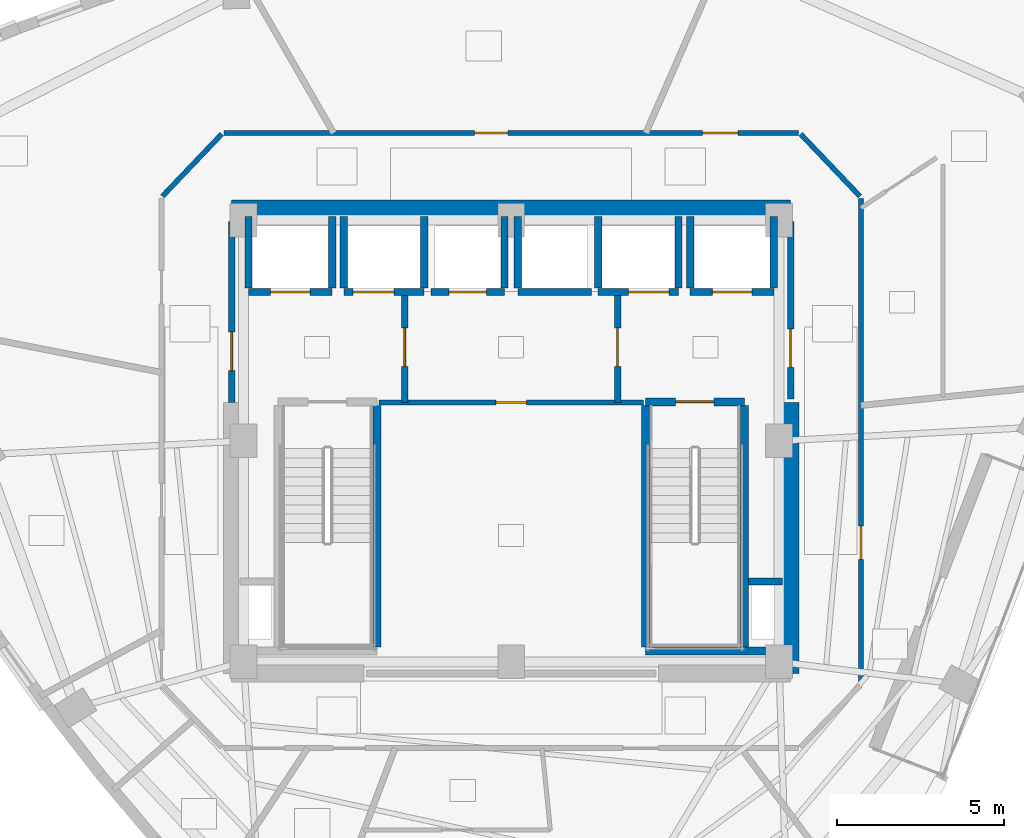
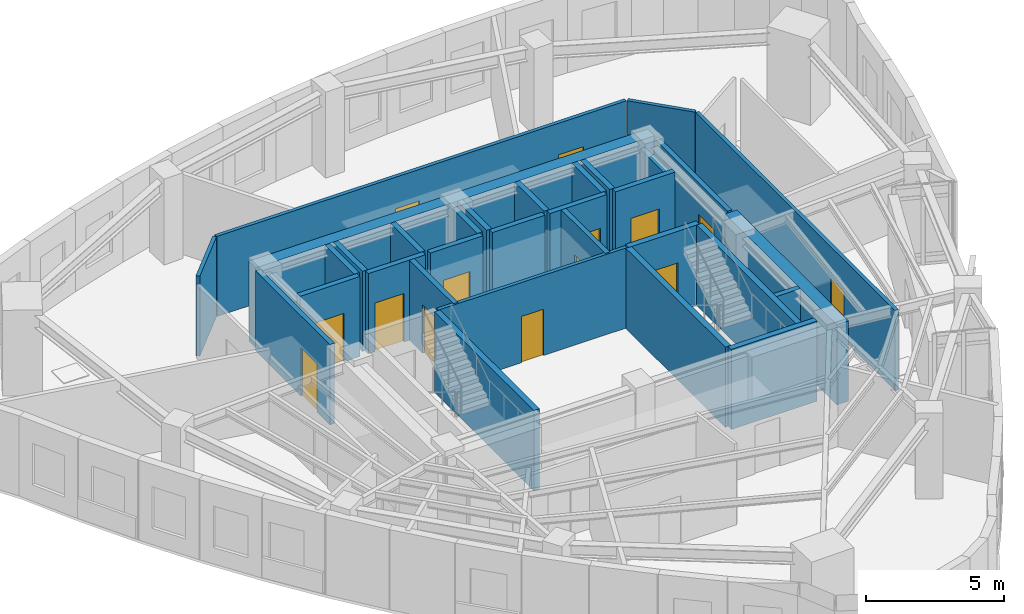
# One storey, part 5 of 10: 33 walls, 14 doors, 14 openings.
"""IFC4 building model written with IfcOpenShell, lengths in metres."""

from ifc_helpers import new_model, si_unit, direction, frame, frame_2d, origin, place, context, subcontext, project, spatial, rectangle, extrude, material, layer, layer_set, type_object, element, fill, save


model = new_model("IFC4")

# Units and contexts
model_context = context("Model", 3, precision=1e-05, world=origin(), true_north=direction((0.0, 1.0)))
body_context = subcontext(model_context, "Body", "Model", "MODEL_VIEW")
ifc_project = project(units=[si_unit("LENGTHUNIT", "METRE"), si_unit("AREAUNIT", "SQUARE_METRE"), si_unit("VOLUMEUNIT", "CUBIC_METRE"), si_unit("PLANEANGLEUNIT", "RADIAN"), si_unit("MASSUNIT", "GRAM", prefix="KILO")], contexts=[model_context])

# Site, building, storey
site_placement = place(None, origin())
site = spatial("IfcSite", under=ifc_project, at=site_placement, CompositionType="ELEMENT")
building_placement = place(site_placement, origin())
building = spatial("IfcBuilding", under=site, at=building_placement, Name="Ndelora Gate Hotel", CompositionType="ELEMENT")
storey_placement = place(building_placement, frame((0.0, 0.0, 247.35009765625)))
storey = spatial("IfcBuildingStorey", under=building, at=storey_placement, Name="L62", CompositionType="ELEMENT", Elevation=247.35009765625)

# Walls
ifc_material_1 = material(Name="Concrete C50/60", Category="concrete")
ifc_layer_1 = layer(ifc_material_1, 0.5)
ifc_layer_set_1 = layer_set([ifc_layer_1], Name="Concrete C50/60")
wall_type_1 = type_object("IfcWallType", Name="WL-CORE-500", PredefinedType="SHEAR", material=ifc_layer_set_1)
wall_1_placement = place(storey_placement, frame((-8.35009765625, 6.949951171875, 0.0), z_axis=(0.0, 0.0, 1.0), x_axis=(1.0, 0.0, 0.0)))
element("IfcWall", 1, at=wall_1_placement, inside=storey, type_object=wall_type_1, Name="L62 Core Shear Wall N", PredefinedType="SHEAR", context=body_context, shape_type="SweptSolid", body=[
    extrude(rectangle(XDim=16.7001953125, YDim=0.5, at=frame_2d((8.35009765625, 0.0))), origin(), (0.0, 0.0, 1.0), 3.5498046875),
])
wall_2_placement = place(storey_placement, frame((8.35009765625, -6.949951171875, 0.0), z_axis=(0.0, 0.0, 1.0), x_axis=(0.0, 1.0, 0.0)))
element("IfcWall", 2, at=wall_2_placement, inside=storey, type_object=wall_type_1, Name="L62 Core Shear Wall E", PredefinedType="SHEAR", context=body_context, shape_type="SweptSolid", body=[
    extrude(rectangle(XDim=8.099853515625, YDim=0.5, at=frame_2d((4.0498046875, 0.0))), origin(), (0.0, 0.0, 1.0), 3.5498046875),
])

# Wall, opening, door
ifc_material_2 = material(Name="Concrete C40/50", Category="concrete")
ifc_layer_2 = layer(ifc_material_2, 0.199951171875)
ifc_layer_set_2 = layer_set([ifc_layer_2], Name="Concrete C40/50")
wall_type_2 = type_object("IfcWallType", Name="WL-FIRE-200", PredefinedType="PARTITIONING", material=ifc_layer_set_2)
wall_3_placement = place(storey_placement, frame((-3.179931640625, 1.14990234375, 0.0), z_axis=(0.0, 0.0, 1.0), x_axis=(0.0, 1.0, 0.0)))
wall_3 = element("IfcWall", 3, at=wall_3_placement, inside=storey, type_object=wall_type_2, Name="L62 Interior Wall IW-2", PredefinedType="PARTITIONING", context=body_context, shape_type="SweptSolid", body=[
    extrude(rectangle(XDim=3.300048828125, YDim=0.199951171875, at=frame_2d((1.64990234375, 0.0))), origin(), (0.0, 0.0, 1.0), 3.5498046875),
])
opening_1_placement = place(wall_3_placement, frame((1.080078125, 0.0, 0.0)))
opening_1 = element("IfcOpeningElement", 4, at=opening_1_placement, cuts=wall_3, Name="Opening FD1", PredefinedType="OPENING", context=body_context, shape_type="SweptSolid", body=[
    extrude(rectangle(XDim=1.14990234375, YDim=2.14990234375, at=frame_2d((0.574951171875, 1.074951171875))), frame((0.0, 0.10986328125, 0.0), z_axis=(0.0, -1.0, 0.0), x_axis=(1.0, 0.0, 0.0)), (0.0, 0.0, 1.0), 0.219970703125),
])
ifc_material_3 = material(Name="Fire-Rated Timber-Veneer Steel Core", Category="steel")
door_type_1 = type_object("IfcDoorType", Name="DR-FD60", OperationType="SINGLE_SWING_LEFT", PredefinedType="DOOR", material=ifc_material_3)
door_1_placement = place(opening_1_placement, origin())
door_1 = element("IfcDoor", 5, at=door_1_placement, inside=storey, type_object=door_type_1, Name="L62 Firefighting Lobby West Door", OperationType="SINGLE_SWING_RIGHT", OverallHeight=2.14990234375, OverallWidth=1.14990234375, PredefinedType="DOOR", context=body_context, shape_type="SweptSolid", body=[
    extrude(rectangle(XDim=1.14990234375, YDim=2.14990234375, at=frame_2d((0.574951171875, 1.074951171875))), frame((0.0, 0.02490234375, 0.0), z_axis=(0.0, -1.0, 0.0), x_axis=(1.0, 0.0, 0.0)), (0.0, 0.0, 1.0), 0.050048828125),
])
fill(opening_1, door_1)

wall_4_placement = place(storey_placement, frame((3.179931640625, 1.14990234375, 0.0), z_axis=(0.0, 0.0, 1.0), x_axis=(0.0, 1.0, 0.0)))
wall_4 = element("IfcWall", 6, at=wall_4_placement, inside=storey, type_object=wall_type_2, Name="L62 Interior Wall IW-2", PredefinedType="PARTITIONING", context=body_context, shape_type="SweptSolid", body=[
    extrude(rectangle(XDim=3.300048828125, YDim=0.199951171875, at=frame_2d((1.64990234375, 0.0))), origin(), (0.0, 0.0, 1.0), 3.5498046875),
])
opening_2_placement = place(wall_4_placement, frame((1.080078125, 0.0, 0.0)))
opening_2 = element("IfcOpeningElement", 7, at=opening_2_placement, cuts=wall_4, Name="Opening FD1", PredefinedType="OPENING", context=body_context, shape_type="SweptSolid", body=[
    extrude(rectangle(XDim=1.14990234375, YDim=2.14990234375, at=frame_2d((0.574951171875, 1.074951171875))), frame((0.0, 0.10986328125, 0.0), z_axis=(0.0, -1.0, 0.0), x_axis=(1.0, 0.0, 0.0)), (0.0, 0.0, 1.0), 0.219970703125),
])
door_2_placement = place(opening_2_placement, origin())
door_2 = element("IfcDoor", 8, at=door_2_placement, inside=storey, type_object=door_type_1, Name="L62 Firefighting Lobby East Door", OperationType="SINGLE_SWING_LEFT", OverallHeight=2.14990234375, OverallWidth=1.14990234375, PredefinedType="DOOR", context=body_context, shape_type="SweptSolid", body=[
    extrude(rectangle(XDim=1.14990234375, YDim=2.14990234375, at=frame_2d((0.574951171875, 1.074951171875))), frame((0.0, 0.02490234375, 0.0), z_axis=(0.0, -1.0, 0.0), x_axis=(1.0, 0.0, 0.0)), (0.0, 0.0, 1.0), 0.050048828125),
])
fill(opening_2, door_2)

wall_5_placement = place(storey_placement, frame((-8.35009765625, 1.14990234375, 0.0), z_axis=(0.0, 0.0, 1.0), x_axis=(0.0, 1.0, 0.0)))
wall_5 = element("IfcWall", 9, at=wall_5_placement, inside=storey, type_object=wall_type_2, Name="L62 Interior Wall IW-2", PredefinedType="PARTITIONING", context=body_context, shape_type="SweptSolid", body=[
    extrude(rectangle(XDim=5.400146484375, YDim=0.199951171875, at=frame_2d((2.7001953125, 0.0))), origin(), (0.0, 0.0, 1.0), 3.5498046875),
])
opening_3_placement = place(wall_5_placement, frame((0.949951171875, 0.0, 0.0)))
opening_3 = element("IfcOpeningElement", 10, at=opening_3_placement, cuts=wall_5, Name="Opening FD1", PredefinedType="OPENING", context=body_context, shape_type="SweptSolid", body=[
    extrude(rectangle(XDim=1.14990234375, YDim=2.14990234375, at=frame_2d((0.574951171875, 1.074951171875))), frame((0.0, 0.10986328125, 0.0), z_axis=(0.0, -1.0, 0.0), x_axis=(1.0, 0.0, 0.0)), (0.0, 0.0, 1.0), 0.219970703125),
])
door_3_placement = place(opening_3_placement, origin())
door_3 = element("IfcDoor", 11, at=door_3_placement, inside=storey, type_object=door_type_1, Name="L62 Firefighting Lobby West Corridor Door", OperationType="SINGLE_SWING_LEFT", OverallHeight=2.14990234375, OverallWidth=1.14990234375, PredefinedType="DOOR", context=body_context, shape_type="SweptSolid", body=[
    extrude(rectangle(XDim=1.14990234375, YDim=2.14990234375, at=frame_2d((0.574951171875, 1.074951171875))), frame((0.0, 0.02490234375, 0.0), z_axis=(0.0, -1.0, 0.0), x_axis=(1.0, 0.0, 0.0)), (0.0, 0.0, 1.0), 0.050048828125),
])
fill(opening_3, door_3)

wall_6_placement = place(storey_placement, frame((8.35009765625, 1.25, 0.0), z_axis=(0.0, 0.0, 1.0), x_axis=(0.0, 1.0, 0.0)))
wall_6 = element("IfcWall", 12, at=wall_6_placement, inside=storey, type_object=wall_type_2, Name="L62 Interior Wall IW-2", PredefinedType="PARTITIONING", context=body_context, shape_type="SweptSolid", body=[
    extrude(rectangle(XDim=5.300048828125, YDim=0.199951171875, at=frame_2d((2.64990234375, 0.0))), origin(), (0.0, 0.0, 1.0), 3.5498046875),
])
opening_4_placement = place(wall_6_placement, frame((0.949951171875, 0.0, 0.0)))
opening_4 = element("IfcOpeningElement", 13, at=opening_4_placement, cuts=wall_6, Name="Opening FD1", PredefinedType="OPENING", context=body_context, shape_type="SweptSolid", body=[
    extrude(rectangle(XDim=1.14990234375, YDim=2.14990234375, at=frame_2d((0.574951171875, 1.074951171875))), frame((0.0, 0.10986328125, 0.0), z_axis=(0.0, -1.0, 0.0), x_axis=(1.0, 0.0, 0.0)), (0.0, 0.0, 1.0), 0.219970703125),
])
door_4_placement = place(opening_4_placement, origin())
door_4 = element("IfcDoor", 14, at=door_4_placement, inside=storey, type_object=door_type_1, Name="L62 Firefighting Lobby East Corridor Door", OperationType="SINGLE_SWING_RIGHT", OverallHeight=2.14990234375, OverallWidth=1.14990234375, PredefinedType="DOOR", context=body_context, shape_type="SweptSolid", body=[
    extrude(rectangle(XDim=1.14990234375, YDim=2.14990234375, at=frame_2d((0.574951171875, 1.074951171875))), frame((0.0, 0.02490234375, 0.0), z_axis=(0.0, -1.0, 0.0), x_axis=(1.0, 0.0, 0.0)), (0.0, 0.0, 1.0), 0.050048828125),
])
fill(opening_4, door_4)

ifc_material_4 = material(Name="Fire-Rated Gypsum Stud Partition", Category="gypsum")
ifc_layer_3 = layer(ifc_material_4, 0.14990234375)
ifc_layer_set_3 = layer_set([ifc_layer_3], Name="Fire-Rated Gypsum Stud Partition")
wall_type_3 = type_object("IfcWallType", Name="WL-PART-150", PredefinedType="PARTITIONING", material=ifc_layer_set_3)
wall_7_placement = place(storey_placement, frame((3.949951171875, 1.14990234375, 0.0), z_axis=(0.0, 0.0, 1.0), x_axis=(-1.0, 0.0, 0.0)))
wall_7 = element("IfcWall", 15, at=wall_7_placement, inside=storey, type_object=wall_type_3, Name="L62 Interior Wall IW-5", PredefinedType="PARTITIONING", context=body_context, shape_type="SweptSolid", body=[
    extrude(rectangle(XDim=7.89990234375, YDim=0.14990234375, at=frame_2d((3.949951171875, 0.0))), origin(), (0.0, 0.0, 1.0), 3.5498046875),
])
opening_5_placement = place(wall_7_placement, frame((3.489990234375, 0.0, 0.0)))
opening_5 = element("IfcOpeningElement", 16, at=opening_5_placement, cuts=wall_7, Name="Opening D04", PredefinedType="OPENING", context=body_context, shape_type="SweptSolid", body=[
    extrude(rectangle(XDim=0.919921875, YDim=2.050048828125, at=frame_2d((0.4599609375, 1.02490234375))), frame((0.0, 0.0849609375, 0.0), z_axis=(0.0, -1.0, 0.0), x_axis=(1.0, 0.0, 0.0)), (0.0, 0.0, 1.0), 0.169921875),
])
ifc_material_5 = material(Name="Painted Steel Core Service Door", Category="steel")
door_type_2 = type_object("IfcDoorType", Name="DR-SER-920", OperationType="SINGLE_SWING_LEFT", PredefinedType="DOOR", material=ifc_material_5)
door_5_placement = place(opening_5_placement, origin())
door_5 = element("IfcDoor", 17, at=door_5_placement, inside=storey, type_object=door_type_2, Name="L62 Core Electrical and Linen Service Store Door", OperationType="SINGLE_SWING_LEFT", OverallHeight=2.050048828125, OverallWidth=0.919921875, PredefinedType="DOOR", context=body_context, shape_type="SweptSolid", body=[
    extrude(rectangle(XDim=0.919921875, YDim=2.050048828125, at=frame_2d((0.4599609375, 1.02490234375))), frame((0.0, 0.02490234375, 0.0), z_axis=(0.0, -1.0, 0.0), x_axis=(1.0, 0.0, 0.0)), (0.0, 0.0, 1.0), 0.050048828125),
])
fill(opening_5, door_5)

wall_8_placement = place(storey_placement, frame((10.449951171875, 7.239990234375, 0.0), z_axis=(0.0, 0.0, 1.0), x_axis=(0.0, -1.0, 0.0)))
wall_8 = element("IfcWall", 18, at=wall_8_placement, inside=storey, type_object=wall_type_3, Name="L62 Interior Wall IW-5", PredefinedType="PARTITIONING", context=body_context, shape_type="SweptSolid", body=[
    extrude(rectangle(XDim=14.47998046875, YDim=0.14990234375, at=frame_2d((7.239990234375, 0.0))), origin(), (0.0, 0.0, 1.0), 3.5498046875),
])
opening_6_placement = place(wall_8_placement, frame((9.779296875, 0.0, 0.0)))
opening_6 = element("IfcOpeningElement", 19, at=opening_6_placement, cuts=wall_8, Name="Opening D01", PredefinedType="OPENING", context=body_context, shape_type="SweptSolid", body=[
    extrude(rectangle(XDim=1.0, YDim=2.14990234375, at=frame_2d((0.5, 1.074951171875))), frame((0.0, 0.0849609375, 0.0), z_axis=(0.0, -1.0, 0.0), x_axis=(1.0, 0.0, 0.0)), (0.0, 0.0, 1.0), 0.169921875),
])
ifc_material_6 = material(Name="Acoustic Hardwood Guest Entrance Door", Category="wood")
door_type_3 = type_object("IfcDoorType", Name="DR-COR-1000", OperationType="SINGLE_SWING_LEFT", PredefinedType="DOOR", material=ifc_material_6)
door_6_placement = place(opening_6_placement, origin())
door_6 = element("IfcDoor", 20, at=door_6_placement, inside=storey, type_object=door_type_3, Name="L62 Sky Garden Tea Dining Room Entrance Door", OperationType="SINGLE_SWING_LEFT", OverallHeight=2.14990234375, OverallWidth=1.0, PredefinedType="DOOR", context=body_context, shape_type="SweptSolid", body=[
    extrude(rectangle(XDim=1.0, YDim=2.14990234375, at=frame_2d((0.5, 1.074951171875))), frame((0.0, 0.02490234375, 0.0), z_axis=(0.0, -1.0, 0.0), x_axis=(1.0, 0.0, 0.0)), (0.0, 0.0, 1.0), 0.050048828125),
])
fill(opening_6, door_6)

# Wall
wall_9_placement = place(storey_placement, frame((8.647705078125, 9.1708984375, 0.0), z_axis=(0.0, 0.0, 1.0), x_axis=(0.689960858356, -0.723846678473, 0.0)))
element("IfcWall", 21, at=wall_9_placement, inside=storey, type_object=wall_type_3, Name="L62 Interior Wall IW-5", PredefinedType="PARTITIONING", context=body_context, shape_type="SweptSolid", body=[
    extrude(rectangle(XDim=2.572021484375, YDim=0.14990234375, at=frame_2d((1.2861328125, 0.0))), origin(), (0.0, 0.0, 1.0), 3.5498046875),
])

# Wall, openings, doors
wall_10_placement = place(storey_placement, frame((-8.580078125, 9.199951171875, 0.0), z_axis=(0.0, 0.0, 1.0), x_axis=(1.0, 0.0, 0.0)))
wall_10 = element("IfcWall", 22, at=wall_10_placement, inside=storey, type_object=wall_type_3, Name="L62 Interior Wall IW-5", PredefinedType="PARTITIONING", context=body_context, shape_type="SweptSolid", body=[
    extrude(rectangle(XDim=17.16015625, YDim=0.14990234375, at=frame_2d((8.580078125, 0.0))), origin(), (0.0, 0.0, 1.0), 3.5498046875),
])
opening_7_placement = place(wall_10_placement, frame((7.48388671875, 0.0, 0.0)))
opening_7 = element("IfcOpeningElement", 23, at=opening_7_placement, cuts=wall_10, Name="Opening D01", PredefinedType="OPENING", context=body_context, shape_type="SweptSolid", body=[
    extrude(rectangle(XDim=1.0, YDim=2.14990234375, at=frame_2d((0.5, 1.074951171875))), frame((0.0, 0.0849609375, 0.0), z_axis=(0.0, -1.0, 0.0), x_axis=(1.0, 0.0, 0.0)), (0.0, 0.0, 1.0), 0.169921875),
])
opening_8_placement = place(wall_10_placement, frame((14.3017578125, 0.0, 0.0)))
opening_8 = element("IfcOpeningElement", 24, at=opening_8_placement, cuts=wall_10, Name="Opening D07", PredefinedType="OPENING", context=body_context, shape_type="SweptSolid", body=[
    extrude(rectangle(XDim=1.06005859375, YDim=2.14990234375, at=frame_2d((0.530029296875, 1.074951171875))), frame((0.0, 0.0849609375, 0.0), z_axis=(0.0, -1.0, 0.0), x_axis=(1.0, 0.0, 0.0)), (0.0, 0.0, 1.0), 0.169921875),
])
door_7_placement = place(opening_7_placement, origin())
door_7 = element("IfcDoor", 25, at=door_7_placement, inside=storey, type_object=door_type_3, Name="L62 Private Collectors Art Library Entrance Door", OperationType="SINGLE_SWING_LEFT", OverallHeight=2.14990234375, OverallWidth=1.0, PredefinedType="DOOR", context=body_context, shape_type="SweptSolid", body=[
    extrude(rectangle(XDim=1.0, YDim=2.14990234375, at=frame_2d((0.5, 1.074951171875))), frame((0.0, 0.02490234375, 0.0), z_axis=(0.0, -1.0, 0.0), x_axis=(1.0, 0.0, 0.0)), (0.0, 0.0, 1.0), 0.050048828125),
])
fill(opening_7, door_7)
ifc_material_7 = material(Name="Diplomatic Suite Acoustic Entrance Door", Category="wood")
door_type_4 = type_object("IfcDoorType", Name="DR-SUITE-1060", OperationType="SINGLE_SWING_LEFT", PredefinedType="DOOR", material=ifc_material_7)
door_8_placement = place(opening_8_placement, origin())
door_8 = element("IfcDoor", 26, at=door_8_placement, inside=storey, type_object=door_type_4, Name="L62 Corner Diplomatic Two-Bay Suite 6502 Entrance Door", OperationType="SINGLE_SWING_LEFT", OverallHeight=2.14990234375, OverallWidth=1.06005859375, PredefinedType="DOOR", context=body_context, shape_type="SweptSolid", body=[
    extrude(rectangle(XDim=1.06005859375, YDim=2.14990234375, at=frame_2d((0.530029296875, 1.074951171875))), frame((0.0, 0.02490234375, 0.0), z_axis=(0.0, -1.0, 0.0), x_axis=(1.0, 0.0, 0.0)), (0.0, 0.0, 1.0), 0.050048828125),
])
fill(opening_8, door_8)

# Walls
wall_11_placement = place(storey_placement, frame((-10.42236328125, 7.30908203125, 0.0), z_axis=(0.0, 0.0, 1.0), x_axis=(0.689960858356, 0.723846678473, 0.0)))
element("IfcWall", 27, at=wall_11_placement, inside=storey, type_object=wall_type_3, Name="L62 Interior Wall IW-5", PredefinedType="PARTITIONING", context=body_context, shape_type="SweptSolid", body=[
    extrude(rectangle(XDim=2.572021484375, YDim=0.14990234375, at=frame_2d((1.2861328125, 0.0))), origin(), (0.0, 0.0, 1.0), 3.5498046875),
])
ifc_layer_4 = layer(ifc_material_2, 0.219970703125)
ifc_layer_set_4 = layer_set([ifc_layer_4], Name="Concrete C40/50")
wall_type_4 = type_object("IfcWallType", Name="WL-SHAFT-220", PredefinedType="PARTITIONING", material=ifc_layer_set_4)
wall_12_placement = place(storey_placement, frame((7.090087890625, -4.199951171875, 0.0), z_axis=(0.0, 0.0, 1.0), x_axis=(1.0, 0.0, 0.0)))
element("IfcWall", 28, at=wall_12_placement, inside=storey, type_object=wall_type_4, Name="L62 Interior Wall IW-1", PredefinedType="PARTITIONING", context=body_context, shape_type="SweptSolid", body=[
    extrude(rectangle(XDim=1.010009765625, YDim=0.219970703125, at=frame_2d((0.5048828125, 0.0))), origin(), (0.0, 0.0, 1.0), 3.5498046875),
])

# Wall, opening, door
wall_13_placement = place(storey_placement, frame((-7.85009765625, 4.449951171875, 0.0), z_axis=(0.0, 0.0, 1.0), x_axis=(1.0, 0.0, 0.0)))
wall_13 = element("IfcWall", 29, at=wall_13_placement, inside=storey, type_object=wall_type_4, Name="L62 Interior Wall IW-1", PredefinedType="PARTITIONING", context=body_context, shape_type="SweptSolid", body=[
    extrude(rectangle(XDim=2.5, YDim=0.219970703125, at=frame_2d((1.25, 0.0))), origin(), (0.0, 0.0, 1.0), 3.5498046875),
])
opening_9_placement = place(wall_13_placement, frame((0.659912109375, 0.0, 0.0)))
opening_9 = element("IfcOpeningElement", 30, at=opening_9_placement, cuts=wall_13, Name="Opening LD5", PredefinedType="OPENING", context=body_context, shape_type="SweptSolid", body=[
    extrude(rectangle(XDim=1.179931640625, YDim=2.14990234375, at=frame_2d((0.58984375, 1.074951171875))), frame((0.0, 0.1201171875, 0.0), z_axis=(0.0, -1.0, 0.0), x_axis=(1.0, 0.0, 0.0)), (0.0, 0.0, 1.0), 0.239990234375),
])
ifc_material_8 = material(Name="Firefighting Lift Stainless Sliding Landing Door", Category="metal")
door_type_5 = type_object("IfcDoorType", Name="DR-LD5", OperationType="DOUBLE_DOOR_SLIDING", PredefinedType="DOOR", material=ifc_material_8)
door_9_placement = place(opening_9_placement, origin())
door_9 = element("IfcDoor", 31, at=door_9_placement, inside=storey, type_object=door_type_5, Name="L62 Lift Landing Sliding Door FFL1", OperationType="DOUBLE_DOOR_SLIDING", OverallHeight=2.14990234375, OverallWidth=1.179931640625, PredefinedType="DOOR", context=body_context, shape_type="SweptSolid", body=[
    extrude(rectangle(XDim=1.179931640625, YDim=2.14990234375, at=frame_2d((0.58984375, 1.074951171875))), frame((0.0, 0.02490234375, 0.0), z_axis=(0.0, -1.0, 0.0), x_axis=(1.0, 0.0, 0.0)), (0.0, 0.0, 1.0), 0.050048828125),
])
fill(opening_9, door_9)

# Walls
wall_14_placement = place(storey_placement, frame((-7.85009765625, 4.570068359375, 0.0), z_axis=(0.0, 0.0, 1.0), x_axis=(0.0, 1.0, 0.0)))
element("IfcWall", 32, at=wall_14_placement, inside=storey, type_object=wall_type_4, Name="L62 Interior Wall IW-1", PredefinedType="PARTITIONING", context=body_context, shape_type="SweptSolid", body=[
    extrude(rectangle(XDim=2.1298828125, YDim=0.219970703125, at=frame_2d((1.06494140625, 0.0))), origin(), (0.0, 0.0, 1.0), 3.179931640625),
])
wall_15_placement = place(storey_placement, frame((-5.35009765625, 4.570068359375, 0.0), z_axis=(0.0, 0.0, 1.0), x_axis=(0.0, 1.0, 0.0)))
element("IfcWall", 33, at=wall_15_placement, inside=storey, type_object=wall_type_4, Name="L62 Interior Wall IW-1", PredefinedType="PARTITIONING", context=body_context, shape_type="SweptSolid", body=[
    extrude(rectangle(XDim=2.1298828125, YDim=0.219970703125, at=frame_2d((1.06494140625, 0.0))), origin(), (0.0, 0.0, 1.0), 3.5498046875),
])

# Wall, opening, door
wall_16_placement = place(storey_placement, frame((5.35009765625, 4.449951171875, 0.0), z_axis=(0.0, 0.0, 1.0), x_axis=(1.0, 0.0, 0.0)))
wall_16 = element("IfcWall", 34, at=wall_16_placement, inside=storey, type_object=wall_type_4, Name="L62 Interior Wall IW-1", PredefinedType="PARTITIONING", context=body_context, shape_type="SweptSolid", body=[
    extrude(rectangle(XDim=2.5, YDim=0.219970703125, at=frame_2d((1.25, 0.0))), origin(), (0.0, 0.0, 1.0), 3.5498046875),
])
opening_10_placement = place(wall_16_placement, frame((0.659912109375, 0.0, 0.0)))
opening_10 = element("IfcOpeningElement", 35, at=opening_10_placement, cuts=wall_16, Name="Opening LD5", PredefinedType="OPENING", context=body_context, shape_type="SweptSolid", body=[
    extrude(rectangle(XDim=1.179931640625, YDim=2.14990234375, at=frame_2d((0.58984375, 1.074951171875))), frame((0.0, 0.1201171875, 0.0), z_axis=(0.0, -1.0, 0.0), x_axis=(1.0, 0.0, 0.0)), (0.0, 0.0, 1.0), 0.239990234375),
])
door_10_placement = place(opening_10_placement, origin())
door_10 = element("IfcDoor", 36, at=door_10_placement, inside=storey, type_object=door_type_5, Name="L62 Lift Landing Sliding Door FFL2", OperationType="DOUBLE_DOOR_SLIDING", OverallHeight=2.14990234375, OverallWidth=1.179931640625, PredefinedType="DOOR", context=body_context, shape_type="SweptSolid", body=[
    extrude(rectangle(XDim=1.179931640625, YDim=2.14990234375, at=frame_2d((0.58984375, 1.074951171875))), frame((0.0, 0.02490234375, 0.0), z_axis=(0.0, -1.0, 0.0), x_axis=(1.0, 0.0, 0.0)), (0.0, 0.0, 1.0), 0.050048828125),
])
fill(opening_10, door_10)

# Walls
wall_17_placement = place(storey_placement, frame((5.35009765625, 4.570068359375, 0.0), z_axis=(0.0, 0.0, 1.0), x_axis=(0.0, 1.0, 0.0)))
element("IfcWall", 37, at=wall_17_placement, inside=storey, type_object=wall_type_4, Name="L62 Interior Wall IW-1", PredefinedType="PARTITIONING", context=body_context, shape_type="SweptSolid", body=[
    extrude(rectangle(XDim=2.1298828125, YDim=0.219970703125, at=frame_2d((1.06494140625, 0.0))), origin(), (0.0, 0.0, 1.0), 3.5498046875),
])
wall_18_placement = place(storey_placement, frame((7.85009765625, 4.570068359375, 0.0), z_axis=(0.0, 0.0, 1.0), x_axis=(0.0, 1.0, 0.0)))
element("IfcWall", 38, at=wall_18_placement, inside=storey, type_object=wall_type_4, Name="L62 Interior Wall IW-1", PredefinedType="PARTITIONING", context=body_context, shape_type="SweptSolid", body=[
    extrude(rectangle(XDim=2.1298828125, YDim=0.219970703125, at=frame_2d((1.06494140625, 0.0))), origin(), (0.0, 0.0, 1.0), 3.179931640625),
])

# Wall, opening, door
wall_19_placement = place(storey_placement, frame((-5.0, 4.449951171875, 0.0), z_axis=(0.0, 0.0, 1.0), x_axis=(1.0, 0.0, 0.0)))
wall_19 = element("IfcWall", 39, at=wall_19_placement, inside=storey, type_object=wall_type_4, Name="L62 Interior Wall IW-1", PredefinedType="PARTITIONING", context=body_context, shape_type="SweptSolid", body=[
    extrude(rectangle(XDim=2.39990234375, YDim=0.219970703125, at=frame_2d((1.199951171875, 0.0))), origin(), (0.0, 0.0, 1.0), 3.5498046875),
])
opening_11_placement = place(wall_19_placement, frame((0.280029296875, 0.0, 0.0)))
opening_11 = element("IfcOpeningElement", 40, at=opening_11_placement, cuts=wall_19, Name="Opening LD6", PredefinedType="OPENING", context=body_context, shape_type="SweptSolid", body=[
    extrude(rectangle(XDim=1.219970703125, YDim=2.14990234375, at=frame_2d((0.60986328125, 1.074951171875))), frame((0.0, 0.1201171875, 0.0), z_axis=(0.0, -1.0, 0.0), x_axis=(1.0, 0.0, 0.0)), (0.0, 0.0, 1.0), 0.239990234375),
])
ifc_material_9 = material(Name="Heavy-Duty Service Lift Sliding Landing Door", Category="wood")
door_type_6 = type_object("IfcDoorType", Name="DR-LD6", OperationType="DOUBLE_DOOR_SLIDING", PredefinedType="DOOR", material=ifc_material_9)
door_11_placement = place(opening_11_placement, origin())
door_11 = element("IfcDoor", 41, at=door_11_placement, inside=storey, type_object=door_type_6, Name="L62 Lift Landing Sliding Door SVL1", OperationType="DOUBLE_DOOR_SLIDING", OverallHeight=2.14990234375, OverallWidth=1.219970703125, PredefinedType="DOOR", context=body_context, shape_type="SweptSolid", body=[
    extrude(rectangle(XDim=1.219970703125, YDim=2.14990234375, at=frame_2d((0.60986328125, 1.074951171875))), frame((0.0, 0.02490234375, 0.0), z_axis=(0.0, -1.0, 0.0), x_axis=(1.0, 0.0, 0.0)), (0.0, 0.0, 1.0), 0.050048828125),
])
fill(opening_11, door_11)

# Walls
for number, where, z_axis, x_axis, name in (
    (42, (-5.0, 4.570068359375, 0.0), (0.0, 0.0, 1.0), (0.0, 1.0, 0.0), "L62 Interior Wall IW-1"),
    (43, (-2.60009765625, 4.570068359375, 0.0), (0.0, 0.0, 1.0), (0.0, 1.0, 0.0), "L62 Interior Wall IW-1"),
):
    element("IfcWall", number, at=place(storey_placement, frame(where, z_axis=z_axis, x_axis=x_axis)), inside=storey, type_object=wall_type_4, Name=name, PredefinedType="PARTITIONING", context=body_context, shape_type="SweptSolid", body=[
        extrude(rectangle(XDim=2.1298828125, YDim=0.219970703125, at=frame_2d((1.06494140625, 0.0))), origin(), (0.0, 0.0, 1.0), 3.5498046875),
    ])

# Wall, opening, door
wall_20_placement = place(storey_placement, frame((2.60009765625, 4.449951171875, 0.0), z_axis=(0.0, 0.0, 1.0), x_axis=(1.0, 0.0, 0.0)))
wall_20 = element("IfcWall", 44, at=wall_20_placement, inside=storey, type_object=wall_type_4, Name="L62 Interior Wall IW-1", PredefinedType="PARTITIONING", context=body_context, shape_type="SweptSolid", body=[
    extrude(rectangle(XDim=2.39990234375, YDim=0.219970703125, at=frame_2d((1.199951171875, 0.0))), origin(), (0.0, 0.0, 1.0), 3.5498046875),
])
opening_12_placement = place(wall_20_placement, frame((0.89990234375, 0.0, 0.0)))
opening_12 = element("IfcOpeningElement", 45, at=opening_12_placement, cuts=wall_20, Name="Opening LD6", PredefinedType="OPENING", context=body_context, shape_type="SweptSolid", body=[
    extrude(rectangle(XDim=1.219970703125, YDim=2.14990234375, at=frame_2d((0.60986328125, 1.074951171875))), frame((0.0, 0.1201171875, 0.0), z_axis=(0.0, -1.0, 0.0), x_axis=(1.0, 0.0, 0.0)), (0.0, 0.0, 1.0), 0.239990234375),
])
door_12_placement = place(opening_12_placement, origin())
door_12 = element("IfcDoor", 46, at=door_12_placement, inside=storey, type_object=door_type_6, Name="L62 Lift Landing Sliding Door SVL2", OperationType="DOUBLE_DOOR_SLIDING", OverallHeight=2.14990234375, OverallWidth=1.219970703125, PredefinedType="DOOR", context=body_context, shape_type="SweptSolid", body=[
    extrude(rectangle(XDim=1.219970703125, YDim=2.14990234375, at=frame_2d((0.60986328125, 1.074951171875))), frame((0.0, 0.02490234375, 0.0), z_axis=(0.0, -1.0, 0.0), x_axis=(1.0, 0.0, 0.0)), (0.0, 0.0, 1.0), 0.050048828125),
])
fill(opening_12, door_12)

# Walls
for number, where, z_axis, x_axis, name in (
    (47, (2.60009765625, 4.570068359375, 0.0), (0.0, 0.0, 1.0), (0.0, 1.0, 0.0), "L62 Interior Wall IW-1"),
    (48, (5.0, 4.570068359375, 0.0), (0.0, 0.0, 1.0), (0.0, 1.0, 0.0), "L62 Interior Wall IW-1"),
):
    element("IfcWall", number, at=place(storey_placement, frame(where, z_axis=z_axis, x_axis=x_axis)), inside=storey, type_object=wall_type_4, Name=name, PredefinedType="PARTITIONING", context=body_context, shape_type="SweptSolid", body=[
        extrude(rectangle(XDim=2.1298828125, YDim=0.219970703125, at=frame_2d((1.06494140625, 0.0))), origin(), (0.0, 0.0, 1.0), 3.5498046875),
    ])

# Wall, opening, door
wall_21_placement = place(storey_placement, frame((-2.39990234375, 4.449951171875, 0.0), z_axis=(0.0, 0.0, 1.0), x_axis=(1.0, 0.0, 0.0)))
wall_21 = element("IfcWall", 49, at=wall_21_placement, inside=storey, type_object=wall_type_4, Name="L62 Interior Wall IW-1", PredefinedType="PARTITIONING", context=body_context, shape_type="SweptSolid", body=[
    extrude(rectangle(XDim=2.199951171875, YDim=0.219970703125, at=frame_2d((1.10009765625, 0.0))), origin(), (0.0, 0.0, 1.0), 3.5498046875),
])
opening_13_placement = place(wall_21_placement, frame((0.5400390625, 0.0, 0.0)))
opening_13 = element("IfcOpeningElement", 50, at=opening_13_placement, cuts=wall_21, Name="Opening LD3", PredefinedType="OPENING", context=body_context, shape_type="SweptSolid", body=[
    extrude(rectangle(XDim=1.1201171875, YDim=2.14990234375, at=frame_2d((0.56005859375, 1.074951171875))), frame((0.0, 0.1201171875, 0.0), z_axis=(0.0, -1.0, 0.0), x_axis=(1.0, 0.0, 0.0)), (0.0, 0.0, 1.0), 0.239990234375),
])
ifc_material_10 = material(Name="Brushed Bronze Stainless Lift Landing Door", Category="metal")
door_type_7 = type_object("IfcDoorType", Name="DR-LD3", OperationType="DOUBLE_DOOR_SLIDING", PredefinedType="DOOR", material=ifc_material_10)
door_13_placement = place(opening_13_placement, origin())
door_13 = element("IfcDoor", 51, at=door_13_placement, inside=storey, type_object=door_type_7, Name="L62 Lift Landing Sliding Door P3A", OperationType="DOUBLE_DOOR_SLIDING", OverallHeight=2.14990234375, OverallWidth=1.1201171875, PredefinedType="DOOR", context=body_context, shape_type="SweptSolid", body=[
    extrude(rectangle(XDim=1.1201171875, YDim=2.14990234375, at=frame_2d((0.56005859375, 1.074951171875))), frame((0.0, 0.02490234375, 0.0), z_axis=(0.0, -1.0, 0.0), x_axis=(1.0, 0.0, 0.0)), (0.0, 0.0, 1.0), 0.050048828125),
])
fill(opening_13, door_13)

# Walls
wall_22_placement = place(storey_placement, frame((-0.199951171875, 4.570068359375, 0.0), z_axis=(0.0, 0.0, 1.0), x_axis=(0.0, 1.0, 0.0)))
element("IfcWall", 52, at=wall_22_placement, inside=storey, type_object=wall_type_4, Name="L62 Interior Wall IW-1", PredefinedType="PARTITIONING", context=body_context, shape_type="SweptSolid", body=[
    extrude(rectangle(XDim=2.1298828125, YDim=0.219970703125, at=frame_2d((1.06494140625, 0.0))), origin(), (0.0, 0.0, 1.0), 3.5498046875),
])
wall_23_placement = place(storey_placement, frame((0.199951171875, 4.449951171875, 0.0), z_axis=(0.0, 0.0, 1.0), x_axis=(1.0, 0.0, 0.0)))
element("IfcWall", 53, at=wall_23_placement, inside=storey, type_object=wall_type_4, Name="L62 Interior Wall IW-1", PredefinedType="PARTITIONING", context=body_context, shape_type="SweptSolid", body=[
    extrude(rectangle(XDim=2.199951171875, YDim=0.219970703125, at=frame_2d((1.10009765625, 0.0))), origin(), (0.0, 0.0, 1.0), 3.5498046875),
])
wall_24_placement = place(storey_placement, frame((0.199951171875, 4.570068359375, 0.0), z_axis=(0.0, 0.0, 1.0), x_axis=(0.0, 1.0, 0.0)))
element("IfcWall", 54, at=wall_24_placement, inside=storey, type_object=wall_type_4, Name="L62 Interior Wall IW-1", PredefinedType="PARTITIONING", context=body_context, shape_type="SweptSolid", body=[
    extrude(rectangle(XDim=2.1298828125, YDim=0.219970703125, at=frame_2d((1.06494140625, 0.0))), origin(), (0.0, 0.0, 1.0), 3.5498046875),
])
ifc_layer_5 = layer(ifc_material_1, 0.239990234375)
ifc_layer_set_5 = layer_set([ifc_layer_5], Name="Concrete C50/60")
wall_type_5 = type_object("IfcWallType", Name="WL-STAIR-240", PredefinedType="SHEAR", material=ifc_layer_set_5)
for number, where, z_axis, x_axis, name in (
    (55, (-4.010009765625, -6.159912109375, 0.0), (0.0, 0.0, 1.0), (0.0, 1.0, 0.0), "L62 Stair Core Shear Wall SW-ST"),
    (56, (4.010009765625, -6.159912109375, 0.0), (0.0, 0.0, 1.0), (0.0, 1.0, 0.0), "L62 Stair Core Shear Wall SW-ST"),
    (57, (6.969970703125, -6.159912109375, 0.0), (0.0, 0.0, 1.0), (0.0, 1.0, 0.0), "L62 Stair Core Shear Wall SW-ST"),
):
    element("IfcWall", number, at=place(storey_placement, frame(where, z_axis=z_axis, x_axis=x_axis)), inside=storey, type_object=wall_type_5, Name=name, PredefinedType="SHEAR", context=body_context, shape_type="SweptSolid", body=[
        extrude(rectangle(XDim=7.219970703125, YDim=0.239990234375, at=frame_2d((3.60986328125, 0.0))), origin(), (0.0, 0.0, 1.0), 3.5498046875),
    ])
wall_25_placement = place(storey_placement, frame((4.010009765625, -6.27001953125, 0.0), z_axis=(0.0, 0.0, 1.0), x_axis=(1.0, 0.0, 0.0)))
element("IfcWall", 58, at=wall_25_placement, inside=storey, type_object=wall_type_5, Name="L62 Stair Core Shear Wall SW-ST", PredefinedType="SHEAR", context=body_context, shape_type="SweptSolid", body=[
    extrude(rectangle(XDim=3.590087890625, YDim=0.239990234375, at=frame_2d((1.794921875, 0.0))), origin(), (0.0, 0.0, 1.0), 3.5498046875),
])

# Wall, opening, door
wall_26_placement = place(storey_placement, frame((4.010009765625, 1.169921875, 0.0), z_axis=(0.0, 0.0, 1.0), x_axis=(1.0, 0.0, 0.0)))
wall_26 = element("IfcWall", 59, at=wall_26_placement, inside=storey, type_object=wall_type_5, Name="L62 Stair Core Shear Wall SW-ST", PredefinedType="SHEAR", context=body_context, shape_type="SweptSolid", body=[
    extrude(rectangle(XDim=2.9599609375, YDim=0.239990234375, at=frame_2d((1.47998046875, 0.0))), origin(), (0.0, 0.0, 1.0), 3.5498046875),
])
opening_14_placement = place(wall_26_placement, frame((0.89990234375, 0.0, 0.0)))
opening_14 = element("IfcOpeningElement", 60, at=opening_14_placement, cuts=wall_26, Name="Opening FD1", PredefinedType="OPENING", context=body_context, shape_type="SweptSolid", body=[
    extrude(rectangle(XDim=1.14990234375, YDim=2.14990234375, at=frame_2d((0.574951171875, 1.074951171875))), frame((0.0, 0.1298828125, 0.0), z_axis=(0.0, -1.0, 0.0), x_axis=(1.0, 0.0, 0.0)), (0.0, 0.0, 1.0), 0.260009765625),
])
door_14_placement = place(opening_14_placement, origin())
door_14 = element("IfcDoor", 61, at=door_14_placement, inside=storey, type_object=door_type_1, Name="L62 Exit Stair ST5 Door", OperationType="SINGLE_SWING_RIGHT", OverallHeight=2.14990234375, OverallWidth=1.14990234375, PredefinedType="DOOR", context=body_context, shape_type="SweptSolid", body=[
    extrude(rectangle(XDim=1.14990234375, YDim=2.14990234375, at=frame_2d((0.574951171875, 1.074951171875))), frame((0.0, 0.02490234375, 0.0), z_axis=(0.0, -1.0, 0.0), x_axis=(1.0, 0.0, 0.0)), (0.0, 0.0, 1.0), 0.050048828125),
])
fill(opening_14, door_14)

save(model, "model.ifc")
